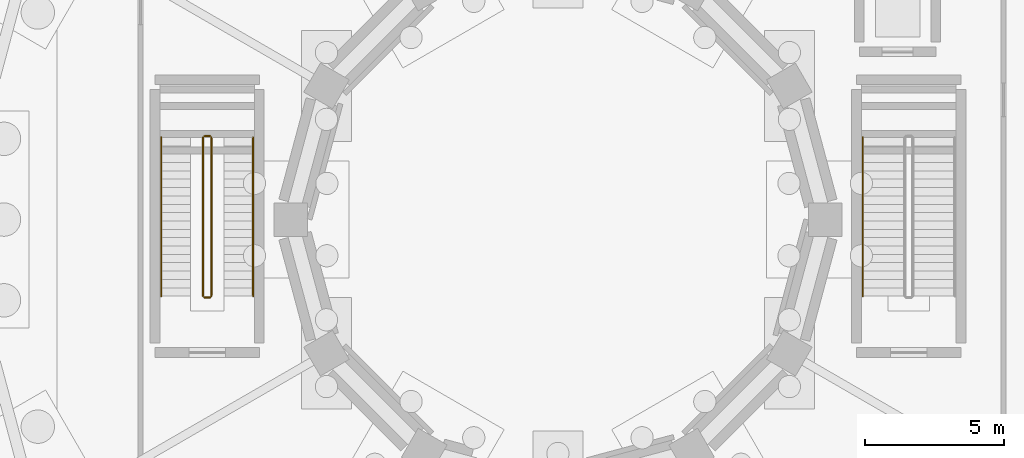
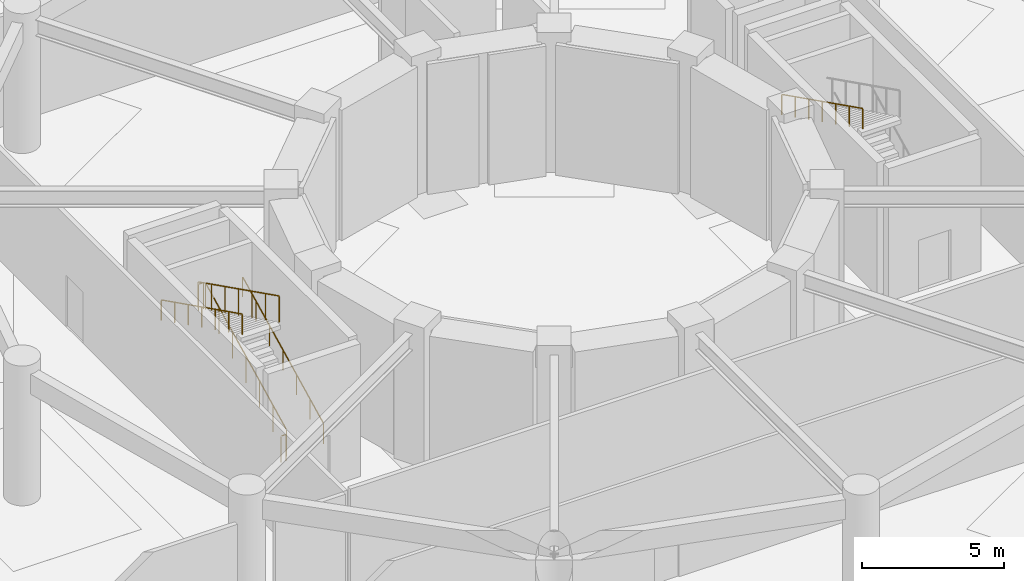
# One storey, part 28 of 36: 7 railings.
"""IFC4 building model written with IfcOpenShell, lengths in metres."""

import ifcopenshell
import ifcopenshell.guid

model = None  # the IFC model being written
_history = None  # IfcOwnerHistory: only IFC2X3 demands one
_inside = {}  # id of a spatial element -> (the spatial element, [elements in it])
_under = {}  # id of a project, library or spatial element -> (it, [spatial elements below it])
_declared = {}  # id of a project -> (the project, [libraries it declares])
_typed = {}  # id of a type object -> (the type object, [elements of that type])
_made_of = {}  # id of a material, layer set ... -> (it, [elements and type objects made of it])


def new_model(schema):
    """Start an empty IFC model of exactly this schema.

    Asked for "IFC4X3", IfcOpenShell would pick the latest addendum, in which some entities
    have other attributes; the version numbers below select the first issue.
    IFC2X3 requires an IfcOwnerHistory on every rooted entity: one is made here for all.
    """
    global model, _history
    if schema == "IFC4X3":
        model = ifcopenshell.file(schema_version=(4, 3, 0, 0))
    else:
        model = ifcopenshell.file(schema=schema)
    _inside.clear()
    _under.clear()
    _declared.clear()
    _typed.clear()
    _made_of.clear()
    _history = None
    if model.schema == "IFC2X3":
        org = make("IfcOrganization", Name="unknown")
        user = make(
            "IfcPersonAndOrganization",
            ThePerson=make("IfcPerson", FamilyName="unknown"),
            TheOrganization=org,
        )
        app = make(
            "IfcApplication",
            ApplicationDeveloper=org,
            Version="unknown",
            ApplicationFullName="unknown",
            ApplicationIdentifier="unknown",
        )
        _history = make(
            "IfcOwnerHistory",
            OwningUser=user,
            OwningApplication=app,
            ChangeAction="ADDED",
            CreationDate=0,
        )
    return model


def make(cls, **values):
    """One entity of the class cls with the attributes given. An attribute that is None is left unset."""
    return model.create_entity(
        cls, **{name: value for name, value in values.items() if value is not None}
    )


def rooted(cls, **values):
    """An entity with a GlobalId (a new one), such as an element, a storey or a relation."""
    return make(cls, GlobalId=ifcopenshell.guid.new(), OwnerHistory=_history, **values)


def si_unit(unit_type, name, prefix=None):
    """IfcSIUnit, for example si_unit("LENGTHUNIT", "METRE", prefix="MILLI")."""
    return make("IfcSIUnit", UnitType=unit_type, Prefix=prefix, Name=name)


def assignment(units):
    """IfcUnitAssignment: the units of a project."""
    return None if units is None else make("IfcUnitAssignment", Units=units)


def point(xyz):
    """IfcCartesianPoint."""
    return None if xyz is None else make("IfcCartesianPoint", Coordinates=xyz)


def direction(xyz):
    """IfcDirection."""
    return None if xyz is None else make("IfcDirection", DirectionRatios=xyz)


def frame(location, z_axis=None, x_axis=None):
    """IfcAxis2Placement3D, a coordinate frame: its origin and axes. An axis left out is left unset."""
    return make(
        "IfcAxis2Placement3D",
        Location=point(location),
        Axis=direction(z_axis),
        RefDirection=direction(x_axis),
    )


def frame_2d(location, x_axis=None):
    """IfcAxis2Placement2D, a coordinate frame in the plane: its origin and x axis."""
    return make(
        "IfcAxis2Placement2D", Location=point(location), RefDirection=direction(x_axis)
    )


def origin():
    """The frame at (0, 0, 0) with its axes left unset."""
    return frame((0.0, 0.0, 0.0))


def origin_2d():
    """The frame at (0, 0) in the plane with its x axis left unset."""
    return frame_2d((0.0, 0.0))


def place(relative_to, where):
    """IfcLocalPlacement: puts the frame where relative to a parent placement (None: the world)."""
    return make(
        "IfcLocalPlacement", PlacementRelTo=relative_to, RelativePlacement=where
    )


def context(
    kind, dimensions, precision=None, world=None, true_north=None, identifier=None
):
    """IfcGeometricRepresentationContext, for example the 3D "Model" context."""
    return make(
        "IfcGeometricRepresentationContext",
        ContextIdentifier=identifier,
        ContextType=kind,
        CoordinateSpaceDimension=dimensions,
        Precision=precision,
        WorldCoordinateSystem=world,
        TrueNorth=true_north,
    )


def subcontext(parent, identifier, kind, view, scale=None):
    """IfcGeometricRepresentationSubContext, for example "Body" below "Model"."""
    return make(
        "IfcGeometricRepresentationSubContext",
        ContextIdentifier=identifier,
        ContextType=kind,
        ParentContext=parent,
        TargetScale=scale,
        TargetView=view,
    )


def project(units=None, contexts=None):
    """IfcProject with its units and contexts."""
    return rooted(
        "IfcProject",
        Name="project",
        RepresentationContexts=contexts,
        UnitsInContext=assignment(units),
    )


def spatial(cls, under=None, at=None, **own):
    """A site, building, storey or space (cls), placed at a placement, below another one or the project."""
    s = rooted(cls, ObjectPlacement=at, **own)
    if under is not None:
        _under.setdefault(under.id(), (under, []))[1].append(s)
    return s


def profile(cls, at=None, kind="AREA", **sizes):
    """A parametric profile (cls). Its sizes go by their IFC names, for example OverallWidth=200.0."""
    return make(cls, ProfileType=kind, Position=at, **sizes)


def circle(**sizes):
    """IfcCircleProfileDef."""
    return profile("IfcCircleProfileDef", **sizes)


def extrude(swept, where, along, depth):
    """IfcExtrudedAreaSolid: the profile swept, set in the frame where, extruded along a direction by depth."""
    return make(
        "IfcExtrudedAreaSolid",
        SweptArea=swept,
        Position=where,
        ExtrudedDirection=direction(along),
        Depth=depth,
    )


def shape(context_of_items, identifier, shape_type, items):
    """IfcShapeRepresentation: the items that make up one representation, for example the "Body"."""
    return make(
        "IfcShapeRepresentation",
        ContextOfItems=context_of_items,
        RepresentationIdentifier=identifier,
        RepresentationType=shape_type,
        Items=items,
    )


def material(Name=None, Category=None):
    """IfcMaterial."""
    return make("IfcMaterial", Name=Name, Category=Category)


def made_of(thing, what):
    """Note that an element or type object is made of a material, layer set ...; save() writes the relation."""
    if what is not None:
        _made_of.setdefault(what.id(), (what, []))[1].append(thing)
    return thing


def type_object(cls, material=None, **own):
    """A type object (cls), such as IfcWallType, which elements share."""
    return made_of(rooted(cls, **own), material)


def element(
    cls,
    number,
    at=None,
    inside=None,
    cuts=None,
    type_object=None,
    material=None,
    context=None,
    identifier="Body",
    shape_type=None,
    held_by="IfcProductDefinitionShape",
    body=None,
    shapes=None,
    **own,
):
    """One element of the class cls, such as IfcWall. Its Tag is "e" and its number.

    at: its placement. inside: the storey or other place that contains it. cuts: it is an
    opening in that element (IfcRelVoidsElement). A single representation is given by context,
    identifier, shape_type and body (its items); several are given by shapes. held_by: the class
    of the entity that holds the representations. save() writes the other relations.
    """
    e = rooted(cls, Tag="e%d" % number, ObjectPlacement=at, **own)
    if body is not None:
        shapes = [shape(context, identifier, shape_type, body)]
    if shapes is not None:
        e.Representation = make(held_by, Representations=shapes)
    if inside is not None:
        _inside.setdefault(inside.id(), (inside, []))[1].append(e)
    if cuts is not None:
        rooted(
            "IfcRelVoidsElement", RelatingBuildingElement=cuts, RelatedOpeningElement=e
        )
    if type_object is not None:
        _typed.setdefault(type_object.id(), (type_object, []))[1].append(e)
    return made_of(e, material)


def aggregate(whole, parts):
    """IfcRelAggregates: a whole, such as a stair, and the parts it consists of."""
    return rooted("IfcRelAggregates", RelatingObject=whole, RelatedObjects=parts)


def save(model, path):
    """Write the relations noted so far, then the file.

    IfcRelAggregates (storeys below a building ...), IfcRelContainedInSpatialStructure (elements
    in a storey), IfcRelDefinesByType, IfcRelAssociatesMaterial and IfcRelDeclares: one each for
    every whole, place, type object, material and project.
    """
    for whole, parts in _under.values():
        aggregate(whole, parts)
    for where, things in _inside.values():
        rooted(
            "IfcRelContainedInSpatialStructure",
            RelatedElements=things,
            RelatingStructure=where,
        )
    for kind, things in _typed.values():
        rooted("IfcRelDefinesByType", RelatedObjects=things, RelatingType=kind)
    for what, things in _made_of.values():
        rooted("IfcRelAssociatesMaterial", RelatedObjects=things, RelatingMaterial=what)
    for by, libraries in _declared.values():
        rooted("IfcRelDeclares", RelatingContext=by, RelatedDefinitions=libraries)
    model.write(path)


model = new_model("IFC4")

# Units and contexts
model_context = context("Model", 3, precision=1e-05, world=origin(), true_north=direction((0.0, 1.0)))
body_context = subcontext(model_context, "Body", "Model", "MODEL_VIEW")
ifc_project = project(units=[si_unit("LENGTHUNIT", "METRE"), si_unit("AREAUNIT", "SQUARE_METRE"), si_unit("VOLUMEUNIT", "CUBIC_METRE"), si_unit("PLANEANGLEUNIT", "RADIAN"), si_unit("MASSUNIT", "GRAM", prefix="KILO")], contexts=[model_context])

# Site, building, storey
site_placement = place(None, origin())
site = spatial("IfcSite", under=ifc_project, at=site_placement, CompositionType="ELEMENT")
building_placement = place(site_placement, origin())
building = spatial("IfcBuilding", under=site, at=building_placement, Name="Haizhuo Lancet Aquarium", CompositionType="ELEMENT")
storey_placement = place(building_placement, frame((0.0, 0.0, -6.0)))
storey = spatial("IfcBuildingStorey", under=building, at=storey_placement, Name="B1", CompositionType="ELEMENT", Elevation=-6.0)

# Railings
ifc_material = material(Name="Steel S355", Category="steel")
railing_type_1 = type_object("IfcRailingType", Name="RL-GRD-1150", PredefinedType="GUARDRAIL", material=ifc_material)
railing_1_placement = place(storey_placement, frame((-12.449951171875, -2.75, 0.14990234375)))
element("IfcRailing", 1, at=railing_1_placement, inside=storey, type_object=railing_type_1, Name="B1 ST-01 stair guard 1", PredefinedType="GUARDRAIL", context=body_context, shape_type="SweptSolid", body=[
    extrude(circle(Radius=0.02392578125, at=origin_2d()), frame((0.0, 0.02685546875, 1.13916015625), z_axis=(0.0, 0.894419528903, 0.447228919365), x_axis=(-1.0, 0.0, 0.0)), (0.0, 0.0, 1.0), 6.312744140625),
    extrude(circle(Radius=0.02099609375, at=origin_2d()), origin(), (0.0, 0.0, 1.0), 1.097900390625),
    extrude(circle(Radius=0.02099609375, at=origin_2d()), frame((0.0, 0.949951171875, 0.47509765625)), (0.0, 0.0, 1.0), 1.097900390625),
    extrude(circle(Radius=0.02099609375, at=origin_2d()), frame((0.0, 1.89990234375, 0.949951171875)), (0.0, 0.0, 1.0), 1.097900390625),
    extrude(circle(Radius=0.02099609375, at=origin_2d()), frame((0.0, 2.85009765625, 1.425048828125)), (0.0, 0.0, 1.0), 1.097900390625),
    extrude(circle(Radius=0.02099609375, at=origin_2d()), frame((0.0, 3.800048828125, 1.900146484375)), (0.0, 0.0, 1.0), 1.097900390625),
    extrude(circle(Radius=0.02099609375, at=origin_2d()), frame((0.0, 4.75, 2.375)), (0.0, 0.0, 1.0), 1.097900390625),
    extrude(circle(Radius=0.02099609375, at=origin_2d()), frame((0.0, 5.699951171875, 2.85009765625)), (0.0, 0.0, 1.0), 1.097900390625),
])
railing_2_placement = place(storey_placement, frame((-12.5, 3.0, 3.0)))
element("IfcRailing", 2, at=railing_2_placement, inside=storey, type_object=railing_type_1, Name="B1 ST-01 stair guard 2", PredefinedType="GUARDRAIL", context=body_context, shape_type="SweptSolid", body=[
    extrude(circle(Radius=0.02392578125, at=origin_2d()), frame((-0.030029296875, 0.0, 1.1259765625), z_axis=(-1.0, 0.0, 0.0), x_axis=(0.0, -1.0, 0.0)), (0.0, 0.0, 1.0), 0.139892578125),
    extrude(circle(Radius=0.02099609375, at=origin_2d()), origin(), (0.0, 0.0, 1.0), 1.097900390625),
    extrude(circle(Radius=0.02099609375, at=origin_2d()), frame((-0.199951171875, 0.0, 0.0)), (0.0, 0.0, 1.0), 1.097900390625),
])
railing_3_placement = place(storey_placement, frame((-12.75, 2.949951171875, 3.14990234375)))
element("IfcRailing", 3, at=railing_3_placement, inside=storey, type_object=railing_type_1, Name="B1 ST-01 stair guard 3", PredefinedType="GUARDRAIL", context=body_context, shape_type="SweptSolid", body=[
    extrude(circle(Radius=0.02392578125, at=origin_2d()), frame((0.0, -0.02685546875, 1.13916015625), z_axis=(0.0, -0.894419528903, 0.447228919365), x_axis=(1.0, 0.0, 0.0)), (0.0, 0.0, 1.0), 6.312744140625),
    extrude(circle(Radius=0.02099609375, at=origin_2d()), origin(), (0.0, 0.0, 1.0), 1.097900390625),
    extrude(circle(Radius=0.02099609375, at=origin_2d()), frame((0.0, -0.949951171875, 0.47509765625)), (0.0, 0.0, 1.0), 1.097900390625),
    extrude(circle(Radius=0.02099609375, at=origin_2d()), frame((0.0, -1.89990234375, 0.949951171875)), (0.0, 0.0, 1.0), 1.097900390625),
    extrude(circle(Radius=0.02099609375, at=origin_2d()), frame((0.0, -2.85009765625, 1.425048828125)), (0.0, 0.0, 1.0), 1.097900390625),
    extrude(circle(Radius=0.02099609375, at=origin_2d()), frame((0.0, -3.800048828125, 1.900146484375)), (0.0, 0.0, 1.0), 1.097900390625),
    extrude(circle(Radius=0.02099609375, at=origin_2d()), frame((0.0, -4.75, 2.375)), (0.0, 0.0, 1.0), 1.097900390625),
    extrude(circle(Radius=0.02099609375, at=origin_2d()), frame((0.0, -5.699951171875, 2.85009765625)), (0.0, 0.0, 1.0), 1.097900390625),
])
railing_4_placement = place(storey_placement, frame((-12.5, -2.800048828125, 0.0)))
element("IfcRailing", 4, at=railing_4_placement, inside=storey, type_object=railing_type_1, Name="B1 ST-01 stair guard 4", PredefinedType="GUARDRAIL", context=body_context, shape_type="SweptSolid", body=[
    extrude(circle(Radius=0.02392578125, at=origin_2d()), frame((-0.030029296875, 0.0, 1.1259765625), z_axis=(-1.0, 0.0, 0.0), x_axis=(0.0, -1.0, 0.0)), (0.0, 0.0, 1.0), 0.139892578125),
    extrude(circle(Radius=0.02099609375, at=origin_2d()), origin(), (0.0, 0.0, 1.0), 1.097900390625),
    extrude(circle(Radius=0.02099609375, at=origin_2d()), frame((-0.199951171875, 0.0, 0.0)), (0.0, 0.0, 1.0), 1.097900390625),
])
railing_type_2 = type_object("IfcRailingType", Name="RL-HDR-900", PredefinedType="HANDRAIL", material=ifc_material)
railing_5_placement = place(storey_placement, frame((-10.949951171875, -2.75, 0.14990234375)))
element("IfcRailing", 5, at=railing_5_placement, inside=storey, type_object=railing_type_2, Name="B1 ST-01 pitch handrail 1", PredefinedType="HANDRAIL", context=body_context, shape_type="SweptSolid", body=[
    extrude(circle(Radius=0.02392578125, at=origin_2d()), frame((0.0, 0.02685546875, 0.88916015625), z_axis=(0.0, 0.894419528903, 0.447228919365), x_axis=(-1.0, 0.0, 0.0)), (0.0, 0.0, 1.0), 6.312744140625),
    extrude(circle(Radius=0.02099609375, at=origin_2d()), origin(), (0.0, 0.0, 1.0), 0.847900390625),
    extrude(circle(Radius=0.02099609375, at=origin_2d()), frame((0.0, 0.949951171875, 0.47509765625)), (0.0, 0.0, 1.0), 0.847900390625),
    extrude(circle(Radius=0.02099609375, at=origin_2d()), frame((0.0, 1.89990234375, 0.949951171875)), (0.0, 0.0, 1.0), 0.847900390625),
    extrude(circle(Radius=0.02099609375, at=origin_2d()), frame((0.0, 2.85009765625, 1.425048828125)), (0.0, 0.0, 1.0), 0.847900390625),
    extrude(circle(Radius=0.02099609375, at=origin_2d()), frame((0.0, 3.800048828125, 1.900146484375)), (0.0, 0.0, 1.0), 0.847900390625),
    extrude(circle(Radius=0.02099609375, at=origin_2d()), frame((0.0, 4.75, 2.375)), (0.0, 0.0, 1.0), 0.847900390625),
    extrude(circle(Radius=0.02099609375, at=origin_2d()), frame((0.0, 5.699951171875, 2.85009765625)), (0.0, 0.0, 1.0), 0.847900390625),
])
for number, where, name in (
    (6, (-14.25, 2.949951171875, 3.14990234375), "B1 ST-01 pitch handrail 2"),
    (7, (10.949951171875, 2.949951171875, 3.14990234375), "B1 ST-02 pitch handrail 2"),
):
    element("IfcRailing", number, at=place(storey_placement, frame(where)), inside=storey, type_object=railing_type_2, Name=name, PredefinedType="HANDRAIL", context=body_context, shape_type="SweptSolid", body=[
        extrude(circle(Radius=0.02392578125, at=origin_2d()), frame((0.0, -0.02685546875, 0.88916015625), z_axis=(0.0, -0.894419528903, 0.447228919365), x_axis=(1.0, 0.0, 0.0)), (0.0, 0.0, 1.0), 6.312744140625),
        extrude(circle(Radius=0.02099609375, at=origin_2d()), origin(), (0.0, 0.0, 1.0), 0.847900390625),
        extrude(circle(Radius=0.02099609375, at=origin_2d()), frame((0.0, -0.949951171875, 0.47509765625)), (0.0, 0.0, 1.0), 0.847900390625),
        extrude(circle(Radius=0.02099609375, at=origin_2d()), frame((0.0, -1.89990234375, 0.949951171875)), (0.0, 0.0, 1.0), 0.847900390625),
        extrude(circle(Radius=0.02099609375, at=origin_2d()), frame((0.0, -2.85009765625, 1.425048828125)), (0.0, 0.0, 1.0), 0.847900390625),
        extrude(circle(Radius=0.02099609375, at=origin_2d()), frame((0.0, -3.800048828125, 1.900146484375)), (0.0, 0.0, 1.0), 0.847900390625),
        extrude(circle(Radius=0.02099609375, at=origin_2d()), frame((0.0, -4.75, 2.375)), (0.0, 0.0, 1.0), 0.847900390625),
        extrude(circle(Radius=0.02099609375, at=origin_2d()), frame((0.0, -5.699951171875, 2.85009765625)), (0.0, 0.0, 1.0), 0.847900390625),
    ])

save(model, "model.ifc")
